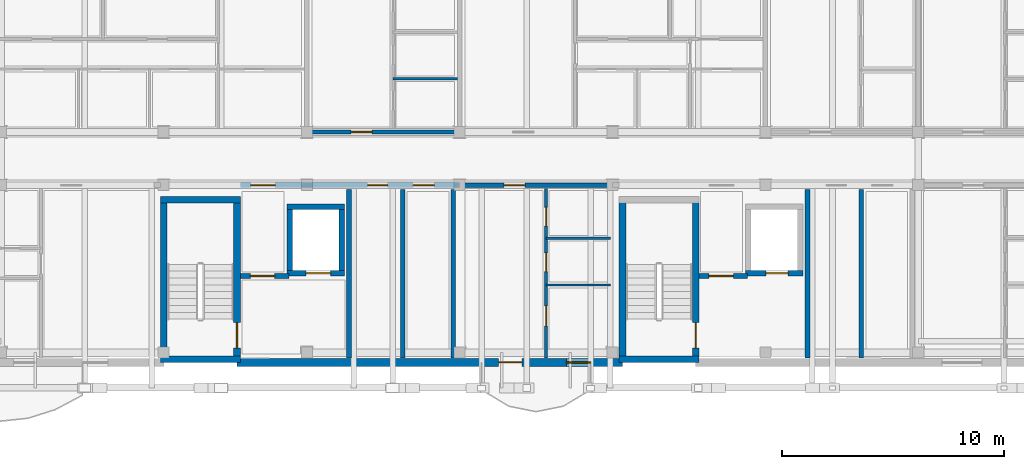
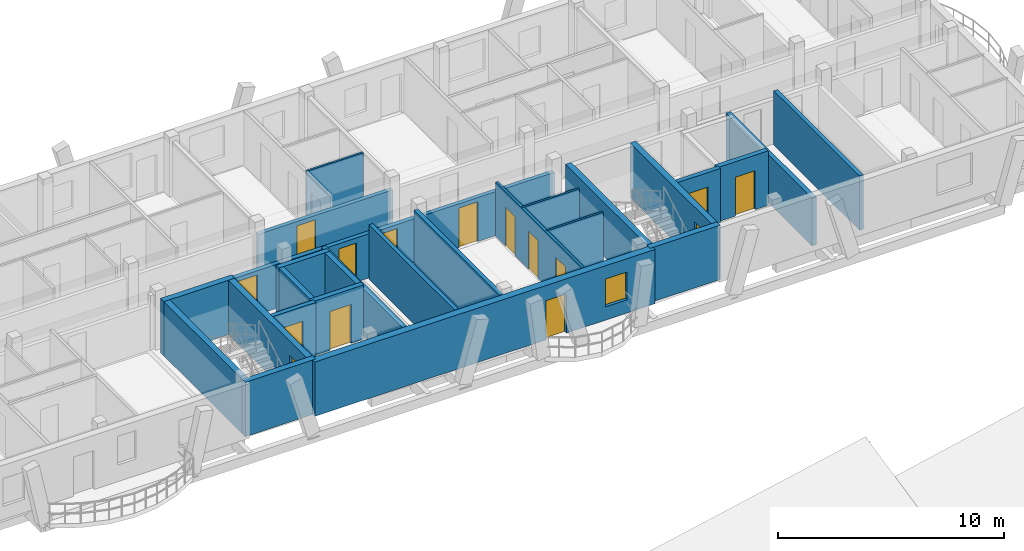
# One storey, part 82 of 109: 27 walls, 15 doors, 1 window, 16 openings.
"""IFC4 building model written with IfcOpenShell, lengths in metres."""

from ifc_helpers import new_model, si_unit, direction, frame, frame_2d, origin, origin_with_axes, place, context, subcontext, project, spatial, rectangle, extrude, material, layer, layer_set, type_object, element, fill, save


model = new_model("IFC4")

# Units and contexts
model_context = context("Model", 3, precision=1e-05, world=origin(), true_north=direction((0.0, 1.0)))
body_context = subcontext(model_context, "Body", "Model", "MODEL_VIEW")
ifc_project = project(units=[si_unit("LENGTHUNIT", "METRE"), si_unit("AREAUNIT", "SQUARE_METRE"), si_unit("VOLUMEUNIT", "CUBIC_METRE"), si_unit("PLANEANGLEUNIT", "RADIAN"), si_unit("MASSUNIT", "GRAM", prefix="KILO")], contexts=[model_context])

# Site, building, storey
site_placement = place(None, origin())
site = spatial("IfcSite", under=ifc_project, at=site_placement, CompositionType="ELEMENT")
building_placement = place(site_placement, origin())
building = spatial("IfcBuilding", under=site, at=building_placement, Name="Zavelmont Quarter", CompositionType="ELEMENT")
storey_placement = place(building_placement, frame((0.0, 0.0, 8.0)))
storey = spatial("IfcBuildingStorey", under=building, at=storey_placement, Name="L02", CompositionType="ELEMENT", Elevation=8.0)

# Wall, openings, door, window
ifc_material_1 = material(Name="Natural Belgian limestone", Category="masonry")
ifc_layer_1 = layer(ifc_material_1, 0.360107421875)
ifc_layer_set_1 = layer_set([ifc_layer_1], Name="Natural Belgian limestone")
wall_type_1 = type_object("IfcWallType", Name="EW02", PredefinedType="STANDARD", material=ifc_layer_set_1)
wall_1_placement = place(storey_placement, frame((130.35009765625, 97.60009765625, 0.0), z_axis=(0.0, 0.0, 1.0), x_axis=(1.0, 0.0, 0.0)))
wall_1 = element("IfcWall", 1, at=wall_1_placement, inside=storey, type_object=wall_type_1, Name="L02 exterior limestone wall EW02", PredefinedType="STANDARD", context=body_context, shape_type="SweptSolid", body=[
    extrude(rectangle(XDim=17.39990234375, YDim=0.360107421875, at=frame_2d((8.699951171875, 0.0))), origin(), (0.0, 0.0, 1.0), 2.93994140625),
])
opening_1_placement = place(wall_1_placement, frame((11.811767578125, 0.0, 0.0)))
opening_1 = element("IfcOpeningElement", 2, at=opening_1_placement, cuts=wall_1, Name="Opening DR04A", PredefinedType="OPENING", context=body_context, shape_type="SweptSolid", body=[
    extrude(rectangle(XDim=1.050048828125, YDim=2.1201171875, at=frame_2d((0.52490234375, 1.06005859375))), frame((0.0, 0.19189453125, 0.0), z_axis=(0.0, -1.0, 0.0), x_axis=(1.0, 0.0, 0.0)), (0.0, 0.0, 1.0), 0.384033203125),
])
opening_2_placement = place(wall_1_placement, frame((14.8701171875, 0.0, 0.719970703125)))
opening_2 = element("IfcOpeningElement", 3, at=opening_2_placement, cuts=wall_1, Name="Opening WN09", PredefinedType="OPENING", context=body_context, shape_type="SweptSolid", body=[
    extrude(rectangle(XDim=1.10009765625, YDim=1.5, at=frame_2d((0.550048828125, 0.75))), frame((0.0, 0.19189453125, 0.0), z_axis=(0.0, -1.0, 0.0), x_axis=(1.0, 0.0, 0.0)), (0.0, 0.0, 1.0), 0.384033203125),
])
ifc_material_2 = material(Name="Thermally broken aluminium and double safety glass", Category="aluminium")
door_type_1 = type_object("IfcDoorType", Name="DR04A", OperationType="NOTDEFINED", PredefinedType="DOOR", material=ifc_material_2)
door_1_placement = place(opening_1_placement, origin_with_axes())
door_1 = element("IfcDoor", 4, at=door_1_placement, inside=storey, type_object=door_type_1, Name="Block C L02 glazed balcony door", OperationType="SINGLE_SWING_RIGHT", OverallHeight=2.1201171875, OverallWidth=1.050048828125, PredefinedType="DOOR", context=body_context, shape_type="SweptSolid", body=[
    extrude(rectangle(XDim=1.050048828125, YDim=2.1201171875, at=frame_2d((0.52490234375, 1.06005859375))), frame((0.0, 0.02490234375, 0.0), z_axis=(0.0, -1.0, 0.0), x_axis=(1.0, 0.0, 0.0)), (0.0, 0.0, 1.0), 0.050048828125),
])
fill(opening_1, door_1)
ifc_material_3 = material(Name="Double low-E insulated glazing in thermally broken aluminium frame", Category="aluminium")
window_type = type_object("IfcWindowType", Name="WN09", PartitioningType="SINGLE_PANEL", PredefinedType="WINDOW", material=ifc_material_3)
window_placement = place(opening_2_placement, origin_with_axes())
window = element("IfcWindow", 5, at=window_placement, inside=storey, type_object=window_type, Name="L02 window WN09", OverallHeight=1.5, OverallWidth=1.10009765625, PartitioningType="SINGLE_PANEL", PredefinedType="WINDOW", context=body_context, shape_type="SweptSolid", body=[
    extrude(rectangle(XDim=1.10009765625, YDim=1.5, at=frame_2d((0.550048828125, 0.75))), frame((0.0, 0.030029296875, 0.0), z_axis=(0.0, -1.0, 0.0), x_axis=(1.0, 0.0, 0.0)), (0.0, 0.0, 1.0), 0.06005859375),
])
fill(opening_2, window)

# Walls
ifc_material_4 = material(Name="Calcium-silicate blockwork and acoustic plaster", Category="masonry")
ifc_layer_2 = layer(ifc_material_4, 0.199951171875)
ifc_layer_set_2 = layer_set([ifc_layer_2], Name="Calcium-silicate blockwork and acoustic plaster")
wall_type_2 = type_object("IfcWallType", Name="IW01", PredefinedType="PARTITIONING", material=ifc_layer_set_2)
for number, where, z_axis, x_axis, name in (
    (6, (137.824951171875, 97.800048828125, 0.0), (0.0, 0.0, 1.0), (0.0, 1.0, 0.0), "L02 Service riser divider wall IW01"),
    (7, (140.1201171875, 97.800048828125, 0.0), (0.0, 0.0, 1.0), (0.0, 1.0, 0.0), "L02 Core service end wall IW01"),
    (8, (158.52490234375, 97.800048828125, 0.0), (0.0, 0.0, 1.0), (0.0, 1.0, 0.0), "L02 Service riser divider wall IW01"),
):
    element("IfcWall", number, at=place(storey_placement, frame(where, z_axis=z_axis, x_axis=x_axis)), inside=storey, type_object=wall_type_2, Name=name, PredefinedType="PARTITIONING", context=body_context, shape_type="SweptSolid", body=[
        extrude(rectangle(XDim=7.599853515625, YDim=0.199951171875, at=frame_2d((3.7998046875, 0.0))), origin(), (0.0, 0.0, 1.0), 2.93994140625),
    ])

# Wall, opening, door
wall_2_placement = place(storey_placement, frame((133.5, 108.0, 0.0), z_axis=(0.0, 0.0, 1.0), x_axis=(1.0, 0.0, 0.0)))
wall_2 = element("IfcWall", 9, at=wall_2_placement, inside=storey, type_object=wall_type_2, Name="L02 Corridor compartment wall IW01", PredefinedType="PARTITIONING", context=body_context, shape_type="SweptSolid", body=[
    extrude(rectangle(XDim=6.89990234375, YDim=0.199951171875, at=frame_2d((3.449951171875, 0.0))), origin(), (0.0, 0.0, 1.0), 2.3798828125),
])
opening_3_placement = place(wall_2_placement, frame((2.0, 0.0, 0.0)))
opening_3 = element("IfcOpeningElement", 10, at=opening_3_placement, cuts=wall_2, Name="Opening DR02", PredefinedType="OPENING", context=body_context, shape_type="SweptSolid", body=[
    extrude(rectangle(XDim=0.949951171875, YDim=2.14990234375, at=frame_2d((0.47509765625, 1.074951171875))), frame((0.0, 0.11181640625, 0.0), z_axis=(0.0, -1.0, 0.0), x_axis=(1.0, 0.0, 0.0)), (0.0, 0.0, 1.0), 0.223876953125),
])
ifc_material_5 = material(Name="Solid-core oak fire leaf in steel frame", Category="steel")
door_type_2 = type_object("IfcDoorType", Name="DR02", OperationType="NOTDEFINED", PredefinedType="DOOR", material=ifc_material_5)
door_2_placement = place(opening_3_placement, origin_with_axes())
door_2 = element("IfcDoor", 11, at=door_2_placement, inside=storey, type_object=door_type_2, Name="L02 door DR02", OperationType="SINGLE_SWING_LEFT", OverallHeight=2.14990234375, OverallWidth=0.949951171875, PredefinedType="DOOR", context=body_context, shape_type="SweptSolid", body=[
    extrude(rectangle(XDim=0.949951171875, YDim=2.14990234375, at=frame_2d((0.47509765625, 1.074951171875))), frame((0.0, 0.02490234375, 0.0), z_axis=(0.0, -1.0, 0.0), x_axis=(1.0, 0.0, 0.0)), (0.0, 0.0, 1.0), 0.050048828125),
])
fill(opening_3, door_2)

wall_3_placement = place(storey_placement, frame((140.39990234375, 105.60009765625, 0.0), z_axis=(0.0, 0.0, 1.0), x_axis=(1.0, 0.0, 0.0)))
wall_3 = element("IfcWall", 12, at=wall_3_placement, inside=storey, type_object=wall_type_2, Name="L02 Corridor compartment wall IW01", PredefinedType="PARTITIONING", context=body_context, shape_type="SweptSolid", body=[
    extrude(rectangle(XDim=6.900146484375, YDim=0.199951171875, at=frame_2d((3.4501953125, 0.0))), origin(), (0.0, 0.0, 1.0), 2.3798828125),
])
opening_4_placement = place(wall_3_placement, frame((2.0, 0.0, 0.0)))
opening_4 = element("IfcOpeningElement", 13, at=opening_4_placement, cuts=wall_3, Name="Opening DR02", PredefinedType="OPENING", context=body_context, shape_type="SweptSolid", body=[
    extrude(rectangle(XDim=0.949951171875, YDim=2.14990234375, at=frame_2d((0.47509765625, 1.074951171875))), frame((0.0, 0.11181640625, 0.0), z_axis=(0.0, -1.0, 0.0), x_axis=(1.0, 0.0, 0.0)), (0.0, 0.0, 1.0), 0.223876953125),
])
door_3_placement = place(opening_4_placement, frame((0.949951171875, 0.0, 0.0), z_axis=(0.0, 0.0, 1.0), x_axis=(-1.0, 0.0, 0.0)))
door_3 = element("IfcDoor", 14, at=door_3_placement, inside=storey, type_object=door_type_2, Name="L02 door DR02", OperationType="SINGLE_SWING_RIGHT", OverallHeight=2.14990234375, OverallWidth=0.949951171875, PredefinedType="DOOR", context=body_context, shape_type="SweptSolid", body=[
    extrude(rectangle(XDim=0.949951171875, YDim=2.14990234375, at=frame_2d((0.47509765625, 1.074951171875))), frame((0.0, 0.02490234375, 0.0), z_axis=(0.0, -1.0, 0.0), x_axis=(1.0, 0.0, 0.0)), (0.0, 0.0, 1.0), 0.050048828125),
])
fill(opening_4, door_3)

# Wall
ifc_material_6 = material(Name="Reinforced masonry fire compartment wall", Category="masonry")
ifc_layer_3 = layer(ifc_material_6, 0.22509765625)
ifc_layer_set_3 = layer_set([ifc_layer_3], Name="Reinforced masonry fire compartment wall")
wall_type_3 = type_object("IfcWallType", Name="IW02", PredefinedType="PARTITIONING", material=ifc_layer_set_3)
wall_4_placement = place(storey_placement, frame((135.409912109375, 97.800048828125, 0.0), z_axis=(0.0, 0.0, 1.0), x_axis=(0.0, 1.0, 0.0)))
element("IfcWall", 15, at=wall_4_placement, inside=storey, type_object=wall_type_3, Name="L02 Firefighting lobby enclosure wall IW02", PredefinedType="PARTITIONING", context=body_context, shape_type="SweptSolid", body=[
    extrude(rectangle(XDim=7.599853515625, YDim=0.22509765625, at=frame_2d((3.7998046875, 0.0))), origin(), (0.0, 0.0, 1.0), 2.590087890625),
])

# Wall, opening, door
wall_5_placement = place(storey_placement, frame((130.5, 101.5, 0.0), z_axis=(0.0, 0.0, 1.0), x_axis=(1.0, 0.0, 0.0)))
wall_5 = element("IfcWall", 16, at=wall_5_placement, inside=storey, type_object=wall_type_3, Name="L02 Firefighting lobby threshold wall IW02", PredefinedType="PARTITIONING", context=body_context, shape_type="SweptSolid", body=[
    extrude(rectangle(XDim=2.199951171875, YDim=0.22509765625, at=frame_2d((1.10009765625, 0.0))), origin(), (0.0, 0.0, 1.0), 2.93994140625),
])
opening_5_placement = place(wall_5_placement, frame((0.449951171875, 0.0, 0.0)))
opening_5 = element("IfcOpeningElement", 17, at=opening_5_placement, cuts=wall_5, Name="Opening DR10", PredefinedType="OPENING", context=body_context, shape_type="SweptSolid", body=[
    extrude(rectangle(XDim=1.10009765625, YDim=2.14990234375, at=frame_2d((0.550048828125, 1.074951171875))), frame((0.0, 0.12451171875, 0.0), z_axis=(0.0, -1.0, 0.0), x_axis=(1.0, 0.0, 0.0)), (0.0, 0.0, 1.0), 0.2490234375),
])
ifc_material_7 = material(Name="Painted steel lobby fire door", Category="steel")
door_type_3 = type_object("IfcDoorType", Name="DR10", OperationType="NOTDEFINED", PredefinedType="DOOR", material=ifc_material_7)
door_4_placement = place(opening_5_placement, frame((1.10009765625, 0.0, 0.0), z_axis=(0.0, 0.0, 1.0), x_axis=(-1.0, 0.0, 0.0)))
door_4 = element("IfcDoor", 18, at=door_4_placement, inside=storey, type_object=door_type_3, Name="Firefighting lobby fire door", OperationType="SINGLE_SWING_RIGHT", OverallHeight=2.14990234375, OverallWidth=1.10009765625, PredefinedType="DOOR", context=body_context, shape_type="SweptSolid", body=[
    extrude(rectangle(XDim=1.10009765625, YDim=2.14990234375, at=frame_2d((0.550048828125, 1.074951171875))), frame((0.0, 0.02490234375, 0.0), z_axis=(0.0, -1.0, 0.0), x_axis=(1.0, 0.0, 0.0)), (0.0, 0.0, 1.0), 0.050048828125),
])
fill(opening_5, door_4)

# Wall, openings, doors
wall_6_placement = place(storey_placement, frame((130.5, 105.60009765625, 0.0), z_axis=(0.0, 0.0, 1.0), x_axis=(1.0, 0.0, 0.0)))
wall_6 = element("IfcWall", 19, at=wall_6_placement, inside=storey, type_object=wall_type_3, Name="L02 Core corridor fire wall IW02", PredefinedType="PARTITIONING", context=body_context, shape_type="SweptSolid", body=[
    extrude(rectangle(XDim=9.89990234375, YDim=0.22509765625, at=frame_2d((4.949951171875, 0.0))), origin(), (0.0, 0.0, 1.0), 2.3798828125),
])
opening_6_placement = place(wall_6_placement, frame((0.47509765625, 0.0, 0.0)))
opening_6 = element("IfcOpeningElement", 20, at=opening_6_placement, cuts=wall_6, Name="Opening DR10", PredefinedType="OPENING", context=body_context, shape_type="SweptSolid", body=[
    extrude(rectangle(XDim=1.10009765625, YDim=2.14990234375, at=frame_2d((0.550048828125, 1.074951171875))), frame((0.0, 0.12451171875, 0.0), z_axis=(0.0, -1.0, 0.0), x_axis=(1.0, 0.0, 0.0)), (0.0, 0.0, 1.0), 0.2490234375),
])
opening_7_placement = place(wall_6_placement, frame((5.75, 0.0, 0.0)))
opening_7 = element("IfcOpeningElement", 21, at=opening_7_placement, cuts=wall_6, Name="Opening DR11", PredefinedType="OPENING", context=body_context, shape_type="SweptSolid", body=[
    extrude(rectangle(XDim=0.89990234375, YDim=2.10009765625, at=frame_2d((0.449951171875, 1.050048828125))), frame((0.0, 0.12451171875, 0.0), z_axis=(0.0, -1.0, 0.0), x_axis=(1.0, 0.0, 0.0)), (0.0, 0.0, 1.0), 0.2490234375),
])
opening_8_placement = place(wall_6_placement, frame((7.800048828125, 0.0, 0.0)))
opening_8 = element("IfcOpeningElement", 22, at=opening_8_placement, cuts=wall_6, Name="Opening DR02", PredefinedType="OPENING", context=body_context, shape_type="SweptSolid", body=[
    extrude(rectangle(XDim=0.949951171875, YDim=2.14990234375, at=frame_2d((0.47509765625, 1.074951171875))), frame((0.0, 0.12451171875, 0.0), z_axis=(0.0, -1.0, 0.0), x_axis=(1.0, 0.0, 0.0)), (0.0, 0.0, 1.0), 0.2490234375),
])
door_5_placement = place(opening_8_placement, origin_with_axes())
door_5 = element("IfcDoor", 23, at=door_5_placement, inside=storey, type_object=door_type_2, Name="Auxiliary store corridor door", OperationType="SINGLE_SWING_RIGHT", OverallHeight=2.14990234375, OverallWidth=0.949951171875, PredefinedType="DOOR", context=body_context, shape_type="SweptSolid", body=[
    extrude(rectangle(XDim=0.949951171875, YDim=2.14990234375, at=frame_2d((0.47509765625, 1.074951171875))), frame((0.0, 0.02490234375, 0.0), z_axis=(0.0, -1.0, 0.0), x_axis=(1.0, 0.0, 0.0)), (0.0, 0.0, 1.0), 0.050048828125),
])
fill(opening_8, door_5)
door_6_placement = place(opening_6_placement, frame((1.10009765625, 0.0, 0.0), z_axis=(0.0, 0.0, 1.0), x_axis=(-1.0, 0.0, 0.0)))
door_6 = element("IfcDoor", 24, at=door_6_placement, inside=storey, type_object=door_type_3, Name="Core vestibule fire door", OperationType="SINGLE_SWING_LEFT", OverallHeight=2.14990234375, OverallWidth=1.10009765625, PredefinedType="DOOR", context=body_context, shape_type="SweptSolid", body=[
    extrude(rectangle(XDim=1.10009765625, YDim=2.14990234375, at=frame_2d((0.550048828125, 1.074951171875))), frame((0.0, 0.02490234375, 0.0), z_axis=(0.0, -1.0, 0.0), x_axis=(1.0, 0.0, 0.0)), (0.0, 0.0, 1.0), 0.050048828125),
])
fill(opening_6, door_6)
ifc_material_8 = material(Name="Painted steel service-riser fire door", Category="steel")
door_type_4 = type_object("IfcDoorType", Name="DR11", OperationType="NOTDEFINED", PredefinedType="DOOR", material=ifc_material_8)
door_7_placement = place(opening_7_placement, origin_with_axes())
door_7 = element("IfcDoor", 25, at=door_7_placement, inside=storey, type_object=door_type_4, Name="Service riser fire door", OperationType="SINGLE_SWING_LEFT", OverallHeight=2.10009765625, OverallWidth=0.89990234375, PredefinedType="DOOR", context=body_context, shape_type="SweptSolid", body=[
    extrude(rectangle(XDim=0.89990234375, YDim=2.10009765625, at=frame_2d((0.449951171875, 1.050048828125))), frame((0.0, 0.02490234375, 0.0), z_axis=(0.0, -1.0, 0.0), x_axis=(1.0, 0.0, 0.0)), (0.0, 0.0, 1.0), 0.050048828125),
])
fill(opening_7, door_7)

# Wall
wall_7_placement = place(storey_placement, frame((156.110107421875, 97.800048828125, 0.0), z_axis=(0.0, 0.0, 1.0), x_axis=(0.0, 1.0, 0.0)))
element("IfcWall", 26, at=wall_7_placement, inside=storey, type_object=wall_type_3, Name="L02 Firefighting lobby enclosure wall IW02", PredefinedType="PARTITIONING", context=body_context, shape_type="SweptSolid", body=[
    extrude(rectangle(XDim=7.599853515625, YDim=0.22509765625, at=frame_2d((3.7998046875, 0.0))), origin(), (0.0, 0.0, 1.0), 2.590087890625),
])

# Wall, opening, door
wall_8_placement = place(storey_placement, frame((151.199951171875, 101.5, 0.0), z_axis=(0.0, 0.0, 1.0), x_axis=(1.0, 0.0, 0.0)))
wall_8 = element("IfcWall", 27, at=wall_8_placement, inside=storey, type_object=wall_type_3, Name="L02 Firefighting lobby threshold wall IW02", PredefinedType="PARTITIONING", context=body_context, shape_type="SweptSolid", body=[
    extrude(rectangle(XDim=2.199951171875, YDim=0.22509765625, at=frame_2d((1.10009765625, 0.0))), origin(), (0.0, 0.0, 1.0), 2.93994140625),
])
opening_9_placement = place(wall_8_placement, frame((0.449951171875, 0.0, 0.0)))
opening_9 = element("IfcOpeningElement", 28, at=opening_9_placement, cuts=wall_8, Name="Opening DR10", PredefinedType="OPENING", context=body_context, shape_type="SweptSolid", body=[
    extrude(rectangle(XDim=1.10009765625, YDim=2.14990234375, at=frame_2d((0.550048828125, 1.074951171875))), frame((0.0, 0.12451171875, 0.0), z_axis=(0.0, -1.0, 0.0), x_axis=(1.0, 0.0, 0.0)), (0.0, 0.0, 1.0), 0.2490234375),
])
door_8_placement = place(opening_9_placement, frame((1.10009765625, 0.0, 0.0), z_axis=(0.0, 0.0, 1.0), x_axis=(-1.0, 0.0, 0.0)))
door_8 = element("IfcDoor", 29, at=door_8_placement, inside=storey, type_object=door_type_3, Name="Firefighting lobby fire door", OperationType="SINGLE_SWING_LEFT", OverallHeight=2.14990234375, OverallWidth=1.10009765625, PredefinedType="DOOR", context=body_context, shape_type="SweptSolid", body=[
    extrude(rectangle(XDim=1.10009765625, YDim=2.14990234375, at=frame_2d((0.550048828125, 1.074951171875))), frame((0.0, 0.02490234375, 0.0), z_axis=(0.0, -1.0, 0.0), x_axis=(1.0, 0.0, 0.0)), (0.0, 0.0, 1.0), 0.050048828125),
])
fill(opening_9, door_8)

# Wall, openings, doors
ifc_material_9 = material(Name="Double gypsum board on acoustic steel stud", Category="steel")
ifc_layer_4 = layer(ifc_material_9, 0.125)
ifc_layer_set_4 = layer_set([ifc_layer_4], Name="Double gypsum board on acoustic steel stud")
wall_type_4 = type_object("IfcWallType", Name="IW03", PredefinedType="PARTITIONING", material=ifc_layer_set_4)
wall_9_placement = place(storey_placement, frame((144.300048828125, 105.449951171875, 0.0), z_axis=(0.0, 0.0, 1.0), x_axis=(0.0, -1.0, 0.0)))
wall_9 = element("IfcWall", 30, at=wall_9_placement, inside=storey, type_object=wall_type_4, Name="L02 Partition IW03", PredefinedType="PARTITIONING", context=body_context, shape_type="SweptSolid", body=[
    extrude(rectangle(XDim=7.64990234375, YDim=0.125, at=frame_2d((3.824951171875, 0.0))), origin(), (0.0, 0.0, 1.0), 2.93994140625),
])
opening_10_placement = place(wall_9_placement, frame((0.85009765625, 0.0, 0.0)))
opening_10 = element("IfcOpeningElement", 31, at=opening_10_placement, cuts=wall_9, Name="Opening DR16", PredefinedType="OPENING", context=body_context, shape_type="SweptSolid", body=[
    extrude(rectangle(XDim=0.85009765625, YDim=2.10009765625, at=frame_2d((0.425048828125, 1.050048828125))), frame((0.0, 0.074462890625, 0.0), z_axis=(0.0, -1.0, 0.0), x_axis=(1.0, 0.0, 0.0)), (0.0, 0.0, 1.0), 0.14892578125),
])
opening_11_placement = place(wall_9_placement, frame((2.89990234375, 0.0, 0.0)))
opening_11 = element("IfcOpeningElement", 32, at=opening_11_placement, cuts=wall_9, Name="Opening DR06", PredefinedType="OPENING", context=body_context, shape_type="SweptSolid", body=[
    extrude(rectangle(XDim=0.85009765625, YDim=2.050048828125, at=frame_2d((0.425048828125, 1.02490234375))), frame((0.0, 0.074462890625, 0.0), z_axis=(0.0, -1.0, 0.0), x_axis=(1.0, 0.0, 0.0)), (0.0, 0.0, 1.0), 0.14892578125),
])
opening_12_placement = place(wall_9_placement, frame((5.300048828125, 0.0, 0.0)))
opening_12 = element("IfcOpeningElement", 33, at=opening_12_placement, cuts=wall_9, Name="Opening DR05", PredefinedType="OPENING", context=body_context, shape_type="SweptSolid", body=[
    extrude(rectangle(XDim=0.89990234375, YDim=2.10009765625, at=frame_2d((0.449951171875, 1.050048828125))), frame((0.0, 0.074462890625, 0.0), z_axis=(0.0, -1.0, 0.0), x_axis=(1.0, 0.0, 0.0)), (0.0, 0.0, 1.0), 0.14892578125),
])
ifc_material_10 = material(Name="Engineered oak flush interior door")
door_type_5 = type_object("IfcDoorType", Name="DR05", OperationType="NOTDEFINED", PredefinedType="DOOR", material=ifc_material_10)
door_9_placement = place(opening_12_placement, frame((0.89990234375, 0.0, 0.0), z_axis=(0.0, 0.0, 1.0), x_axis=(-1.0, 0.0, 0.0)))
door_9 = element("IfcDoor", 34, at=door_9_placement, inside=storey, type_object=door_type_5, Name="L02 door DR05", OperationType="SINGLE_SWING_RIGHT", OverallHeight=2.10009765625, OverallWidth=0.89990234375, PredefinedType="DOOR", context=body_context, shape_type="SweptSolid", body=[
    extrude(rectangle(XDim=0.89990234375, YDim=2.10009765625, at=frame_2d((0.449951171875, 1.050048828125))), frame((0.0, 0.02490234375, 0.0), z_axis=(0.0, -1.0, 0.0), x_axis=(1.0, 0.0, 0.0)), (0.0, 0.0, 1.0), 0.050048828125),
])
fill(opening_12, door_9)
ifc_material_11 = material(Name="Moisture-resistant painted wet-room door")
door_type_6 = type_object("IfcDoorType", Name="DR06", OperationType="NOTDEFINED", PredefinedType="DOOR", material=ifc_material_11)
door_10_placement = place(opening_11_placement, origin_with_axes())
door_10 = element("IfcDoor", 35, at=door_10_placement, inside=storey, type_object=door_type_6, Name="L02 door DR06", OperationType="SINGLE_SWING_LEFT", OverallHeight=2.050048828125, OverallWidth=0.85009765625, PredefinedType="DOOR", context=body_context, shape_type="SweptSolid", body=[
    extrude(rectangle(XDim=0.85009765625, YDim=2.050048828125, at=frame_2d((0.425048828125, 1.02490234375))), frame((0.0, 0.02490234375, 0.0), z_axis=(0.0, -1.0, 0.0), x_axis=(1.0, 0.0, 0.0)), (0.0, 0.0, 1.0), 0.050048828125),
])
fill(opening_11, door_10)
door_type_7 = type_object("IfcDoorType", Name="DR16", OperationType="NOTDEFINED", PredefinedType="DOOR", material=ifc_material_10)
door_11_placement = place(opening_10_placement, frame((0.85009765625, 0.0, 0.0), z_axis=(0.0, 0.0, 1.0), x_axis=(-1.0, 0.0, 0.0)))
door_11 = element("IfcDoor", 36, at=door_11_placement, inside=storey, type_object=door_type_7, Name="L02 door DR16", OperationType="SINGLE_SWING_RIGHT", OverallHeight=2.10009765625, OverallWidth=0.85009765625, PredefinedType="DOOR", context=body_context, shape_type="SweptSolid", body=[
    extrude(rectangle(XDim=0.85009765625, YDim=2.10009765625, at=frame_2d((0.425048828125, 1.050048828125))), frame((0.0, 0.02490234375, 0.0), z_axis=(0.0, -1.0, 0.0), x_axis=(1.0, 0.0, 0.0)), (0.0, 0.0, 1.0), 0.050048828125),
])
fill(opening_10, door_11)

# Walls
ifc_material_12 = material(Name="Moisture-resistant gypsum board on steel stud", Category="steel")
ifc_layer_5 = layer(ifc_material_12, 0.10009765625)
ifc_layer_set_5 = layer_set([ifc_layer_5], Name="Moisture-resistant gypsum board on steel stud")
wall_type_5 = type_object("IfcWallType", Name="IW04", PredefinedType="PARTITIONING", material=ifc_layer_set_5)
wall_10_placement = place(storey_placement, frame((137.39990234375, 110.39990234375, 0.0), z_axis=(0.0, 0.0, 1.0), x_axis=(1.0, 0.0, 0.0)))
element("IfcWall", 37, at=wall_10_placement, inside=storey, type_object=wall_type_5, Name="L02 Partition IW04", PredefinedType="PARTITIONING", context=body_context, shape_type="SweptSolid", body=[
    extrude(rectangle(XDim=2.900146484375, YDim=0.10009765625, at=frame_2d((1.4501953125, 0.0))), origin(), (0.0, 0.0, 1.0), 2.93994140625),
])
for number, where, z_axis, x_axis, name in (
    (38, (144.300048828125, 103.199951171875, 0.0), (0.0, 0.0, 1.0), (1.0, 0.0, 0.0), "L02 Partition IW04"),
    (39, (144.300048828125, 101.10009765625, 0.0), (0.0, 0.0, 1.0), (1.0, 0.0, 0.0), "L02 Partition IW04"),
):
    element("IfcWall", number, at=place(storey_placement, frame(where, z_axis=z_axis, x_axis=x_axis)), inside=storey, type_object=wall_type_5, Name=name, PredefinedType="PARTITIONING", context=body_context, shape_type="SweptSolid", body=[
        extrude(rectangle(XDim=2.89990234375, YDim=0.10009765625, at=frame_2d((1.449951171875, 0.0))), origin(), (0.0, 0.0, 1.0), 2.93994140625),
    ])
ifc_material_13 = material(Name="Concrete C40/50", Category="concrete")
ifc_layer_6 = layer(ifc_material_13, 0.300048828125)
ifc_layer_set_6 = layer_set([ifc_layer_6], Name="Concrete C40/50")
wall_type_6 = type_object("IfcWallType", Name="SW01", PredefinedType="SHEAR", material=ifc_layer_set_6)
wall_11_placement = place(storey_placement, frame((126.89990234375, 104.949951171875, 0.0), z_axis=(0.0, 0.0, 1.0), x_axis=(1.0, 0.0, 0.0)))
element("IfcWall", 40, at=wall_11_placement, inside=storey, type_object=wall_type_6, Name="L02 ST05 corridor shear wall SW01", PredefinedType="SHEAR", context=body_context, shape_type="SweptSolid", body=[
    extrude(rectangle(XDim=3.60009765625, YDim=0.300048828125, at=frame_2d((1.800048828125, 0.0))), origin(), (0.0, 0.0, 1.0), 2.93994140625),
])
wall_12_placement = place(storey_placement, frame((127.050048828125, 97.60009765625, 0.0), z_axis=(0.0, 0.0, 1.0), x_axis=(0.0, 1.0, 0.0)))
element("IfcWall", 41, at=wall_12_placement, inside=storey, type_object=wall_type_6, Name="L02 ST05 west shear wall SW01", PredefinedType="SHEAR", context=body_context, shape_type="SweptSolid", body=[
    extrude(rectangle(XDim=7.5, YDim=0.300048828125, at=frame_2d((3.75, 0.0))), origin(), (0.0, 0.0, 1.0), 2.93994140625),
])

# Wall, opening, door
wall_13_placement = place(storey_placement, frame((130.35009765625, 97.60009765625, 0.0), z_axis=(0.0, 0.0, 1.0), x_axis=(0.0, 1.0, 0.0)))
wall_13 = element("IfcWall", 42, at=wall_13_placement, inside=storey, type_object=wall_type_6, Name="L02 ST05 lobby shear wall SW01", PredefinedType="SHEAR", context=body_context, shape_type="SweptSolid", body=[
    extrude(rectangle(XDim=7.5, YDim=0.300048828125, at=frame_2d((3.75, 0.0))), origin(), (0.0, 0.0, 1.0), 2.93994140625),
])
opening_13_placement = place(wall_13_placement, frame((0.64990234375, 0.0, 0.0)))
opening_13 = element("IfcOpeningElement", 43, at=opening_13_placement, cuts=wall_13, Name="Opening DR09", PredefinedType="OPENING", context=body_context, shape_type="SweptSolid", body=[
    extrude(rectangle(XDim=1.14990234375, YDim=2.14990234375, at=frame_2d((0.574951171875, 1.074951171875))), frame((0.0, 0.162109375, 0.0), z_axis=(0.0, -1.0, 0.0), x_axis=(1.0, 0.0, 0.0)), (0.0, 0.0, 1.0), 0.323974609375),
])
ifc_material_14 = material(Name="Painted steel stair-core fire door", Category="steel")
door_type_8 = type_object("IfcDoorType", Name="DR09", OperationType="NOTDEFINED", PredefinedType="DOOR", material=ifc_material_14)
door_12_placement = place(opening_13_placement, origin_with_axes())
door_12 = element("IfcDoor", 44, at=door_12_placement, inside=storey, type_object=door_type_8, Name="ST05 protected stair door", OperationType="SINGLE_SWING_RIGHT", OverallHeight=2.14990234375, OverallWidth=1.14990234375, PredefinedType="DOOR", context=body_context, shape_type="SweptSolid", body=[
    extrude(rectangle(XDim=1.14990234375, YDim=2.14990234375, at=frame_2d((0.574951171875, 1.074951171875))), frame((0.0, 0.02490234375, 0.0), z_axis=(0.0, -1.0, 0.0), x_axis=(1.0, 0.0, 0.0)), (0.0, 0.0, 1.0), 0.050048828125),
])
fill(opening_13, door_12)

# Wall
wall_14_placement = place(storey_placement, frame((147.75, 97.60009765625, 0.0), z_axis=(0.0, 0.0, 1.0), x_axis=(0.0, 1.0, 0.0)))
element("IfcWall", 45, at=wall_14_placement, inside=storey, type_object=wall_type_6, Name="L02 ST06 west shear wall SW01", PredefinedType="SHEAR", context=body_context, shape_type="SweptSolid", body=[
    extrude(rectangle(XDim=7.5, YDim=0.300048828125, at=frame_2d((3.75, 0.0))), origin(), (0.0, 0.0, 1.0), 2.93994140625),
])

# Wall, opening, door
wall_15_placement = place(storey_placement, frame((151.050048828125, 97.60009765625, 0.0), z_axis=(0.0, 0.0, 1.0), x_axis=(0.0, 1.0, 0.0)))
wall_15 = element("IfcWall", 46, at=wall_15_placement, inside=storey, type_object=wall_type_6, Name="L02 ST06 lobby shear wall SW01", PredefinedType="SHEAR", context=body_context, shape_type="SweptSolid", body=[
    extrude(rectangle(XDim=7.5, YDim=0.300048828125, at=frame_2d((3.75, 0.0))), origin(), (0.0, 0.0, 1.0), 2.93994140625),
])
opening_14_placement = place(wall_15_placement, frame((0.64990234375, 0.0, 0.0)))
opening_14 = element("IfcOpeningElement", 47, at=opening_14_placement, cuts=wall_15, Name="Opening DR09", PredefinedType="OPENING", context=body_context, shape_type="SweptSolid", body=[
    extrude(rectangle(XDim=1.14990234375, YDim=2.14990234375, at=frame_2d((0.574951171875, 1.074951171875))), frame((0.0, 0.162109375, 0.0), z_axis=(0.0, -1.0, 0.0), x_axis=(1.0, 0.0, 0.0)), (0.0, 0.0, 1.0), 0.323974609375),
])
door_13_placement = place(opening_14_placement, origin_with_axes())
door_13 = element("IfcDoor", 48, at=door_13_placement, inside=storey, type_object=door_type_8, Name="ST06 protected stair door", OperationType="SINGLE_SWING_RIGHT", OverallHeight=2.14990234375, OverallWidth=1.14990234375, PredefinedType="DOOR", context=body_context, shape_type="SweptSolid", body=[
    extrude(rectangle(XDim=1.14990234375, YDim=2.14990234375, at=frame_2d((0.574951171875, 1.074951171875))), frame((0.0, 0.02490234375, 0.0), z_axis=(0.0, -1.0, 0.0), x_axis=(1.0, 0.0, 0.0)), (0.0, 0.0, 1.0), 0.050048828125),
])
fill(opening_14, door_13)

ifc_layer_7 = layer(ifc_material_13, 0.25)
ifc_layer_set_7 = layer_set([ifc_layer_7], Name="Concrete C40/50")
wall_type_7 = type_object("IfcWallType", Name="SW02", PredefinedType="SHEAR", material=ifc_layer_set_7)
wall_16_placement = place(storey_placement, frame((132.60009765625, 101.625, 0.0), z_axis=(0.0, 0.0, 1.0), x_axis=(1.0, 0.0, 0.0)))
wall_16 = element("IfcWall", 49, at=wall_16_placement, inside=storey, type_object=wall_type_7, Name="L02 Lift FL03 landing shaft wall SW02", PredefinedType="SHEAR", context=body_context, shape_type="SweptSolid", body=[
    extrude(rectangle(XDim=2.599853515625, YDim=0.25, at=frame_2d((1.2998046875, 0.0))), origin(), (0.0, 0.0, 1.0), 2.93994140625),
])
opening_15_placement = place(wall_16_placement, frame((0.875, 0.0, 0.0)))
opening_15 = element("IfcOpeningElement", 50, at=opening_15_placement, cuts=wall_16, Name="Opening LD02", PredefinedType="OPENING", context=body_context, shape_type="SweptSolid", body=[
    extrude(rectangle(XDim=1.10009765625, YDim=2.10009765625, at=frame_2d((0.550048828125, 1.050048828125))), frame((0.0, 0.136962890625, 0.0), z_axis=(0.0, -1.0, 0.0), x_axis=(1.0, 0.0, 0.0)), (0.0, 0.0, 1.0), 0.27392578125),
])
ifc_material_15 = material(Name="Brushed stainless-steel firefighting lift landing door", Category="steel")
door_type_9 = type_object("IfcDoorType", Name="LD02", OperationType="SLIDING_TO_LEFT", PredefinedType="DOOR", material=ifc_material_15)
door_14_placement = place(opening_15_placement, origin_with_axes())
door_14 = element("IfcDoor", 51, at=door_14_placement, inside=storey, type_object=door_type_9, Name="Lift FL03 sliding landing door", OperationType="SLIDING_TO_LEFT", OverallHeight=2.10009765625, OverallWidth=1.10009765625, PredefinedType="DOOR", context=body_context, shape_type="SweptSolid", body=[
    extrude(rectangle(XDim=1.10009765625, YDim=2.10009765625, at=frame_2d((0.550048828125, 1.050048828125))), frame((0.0, 0.02490234375, 0.0), z_axis=(0.0, -1.0, 0.0), x_axis=(1.0, 0.0, 0.0)), (0.0, 0.0, 1.0), 0.050048828125),
])
fill(opening_15, door_14)

# Walls
wall_17_placement = place(storey_placement, frame((132.60009765625, 104.625, 0.0), z_axis=(0.0, 0.0, 1.0), x_axis=(1.0, 0.0, 0.0)))
element("IfcWall", 52, at=wall_17_placement, inside=storey, type_object=wall_type_7, Name="L02 Lift FL03 back shaft wall SW02", PredefinedType="SHEAR", context=body_context, shape_type="SweptSolid", body=[
    extrude(rectangle(XDim=2.599853515625, YDim=0.25, at=frame_2d((1.2998046875, 0.0))), origin(), (0.0, 0.0, 1.0), 2.93994140625),
])
for number, where, z_axis, x_axis, name in (
    (53, (132.72509765625, 101.5, 0.0), (0.0, 0.0, 1.0), (0.0, 1.0, 0.0), "L02 Lift FL03 west shaft wall SW02"),
    (54, (135.074951171875, 101.5, 0.0), (0.0, 0.0, 1.0), (0.0, 1.0, 0.0), "L02 Lift FL03 east shaft wall SW02"),
):
    element("IfcWall", number, at=place(storey_placement, frame(where, z_axis=z_axis, x_axis=x_axis)), inside=storey, type_object=wall_type_7, Name=name, PredefinedType="SHEAR", context=body_context, shape_type="SweptSolid", body=[
        extrude(rectangle(XDim=3.25, YDim=0.25, at=frame_2d((1.625, 0.0))), origin(), (0.0, 0.0, 1.0), 2.93994140625),
    ])

# Wall, opening, door
wall_18_placement = place(storey_placement, frame((153.300048828125, 101.625, 0.0), z_axis=(0.0, 0.0, 1.0), x_axis=(1.0, 0.0, 0.0)))
wall_18 = element("IfcWall", 55, at=wall_18_placement, inside=storey, type_object=wall_type_7, Name="L02 Lift LF06 landing shaft wall SW02", PredefinedType="SHEAR", context=body_context, shape_type="SweptSolid", body=[
    extrude(rectangle(XDim=2.599853515625, YDim=0.25, at=frame_2d((1.2998046875, 0.0))), origin(), (0.0, 0.0, 1.0), 2.93994140625),
])
opening_16_placement = place(wall_18_placement, frame((0.925048828125, 0.0, 0.0)))
opening_16 = element("IfcOpeningElement", 56, at=opening_16_placement, cuts=wall_18, Name="Opening LD01", PredefinedType="OPENING", context=body_context, shape_type="SweptSolid", body=[
    extrude(rectangle(XDim=1.0, YDim=2.10009765625, at=frame_2d((0.5, 1.050048828125))), frame((0.0, 0.136962890625, 0.0), z_axis=(0.0, -1.0, 0.0), x_axis=(1.0, 0.0, 0.0)), (0.0, 0.0, 1.0), 0.27392578125),
])
ifc_material_16 = material(Name="Brushed stainless-steel automatic sliding landing door", Category="steel")
door_type_10 = type_object("IfcDoorType", Name="LD01", OperationType="SLIDING_TO_LEFT", PredefinedType="DOOR", material=ifc_material_16)
door_15_placement = place(opening_16_placement, origin_with_axes())
door_15 = element("IfcDoor", 57, at=door_15_placement, inside=storey, type_object=door_type_10, Name="Lift LF06 sliding landing door", OperationType="SLIDING_TO_LEFT", OverallHeight=2.10009765625, OverallWidth=1.0, PredefinedType="DOOR", context=body_context, shape_type="SweptSolid", body=[
    extrude(rectangle(XDim=1.0, YDim=2.10009765625, at=frame_2d((0.5, 1.050048828125))), frame((0.0, 0.02490234375, 0.0), z_axis=(0.0, -1.0, 0.0), x_axis=(1.0, 0.0, 0.0)), (0.0, 0.0, 1.0), 0.050048828125),
])
fill(opening_16, door_15)

# Walls
ifc_layer_8 = layer(ifc_material_13, 0.300048828125)
ifc_layer_set_8 = layer_set([ifc_layer_8], Name="Concrete C40/50")
wall_type_8 = type_object("IfcWallType", Name="SW03", PredefinedType="SHEAR", material=ifc_layer_set_8)
wall_19_placement = place(storey_placement, frame((126.89990234375, 97.75, 0.0), z_axis=(0.0, 0.0, 1.0), x_axis=(1.0, 0.0, 0.0)))
element("IfcWall", 58, at=wall_19_placement, inside=storey, type_object=wall_type_8, Name="L02 ST05 outer shear wall SW03", PredefinedType="SHEAR", context=body_context, shape_type="SweptSolid", body=[
    extrude(rectangle(XDim=3.60009765625, YDim=0.300048828125, at=frame_2d((1.800048828125, 0.0))), origin(), (0.0, 0.0, 1.0), 2.93994140625),
])
wall_20_placement = place(storey_placement, frame((147.60009765625, 97.75, 0.0), z_axis=(0.0, 0.0, 1.0), x_axis=(1.0, 0.0, 0.0)))
element("IfcWall", 59, at=wall_20_placement, inside=storey, type_object=wall_type_8, Name="L02 ST06 outer shear wall SW03", PredefinedType="SHEAR", context=body_context, shape_type="SweptSolid", body=[
    extrude(rectangle(XDim=3.599853515625, YDim=0.300048828125, at=frame_2d((1.7998046875, 0.0))), origin(), (0.0, 0.0, 1.0), 2.93994140625),
])

save(model, "model.ifc")
